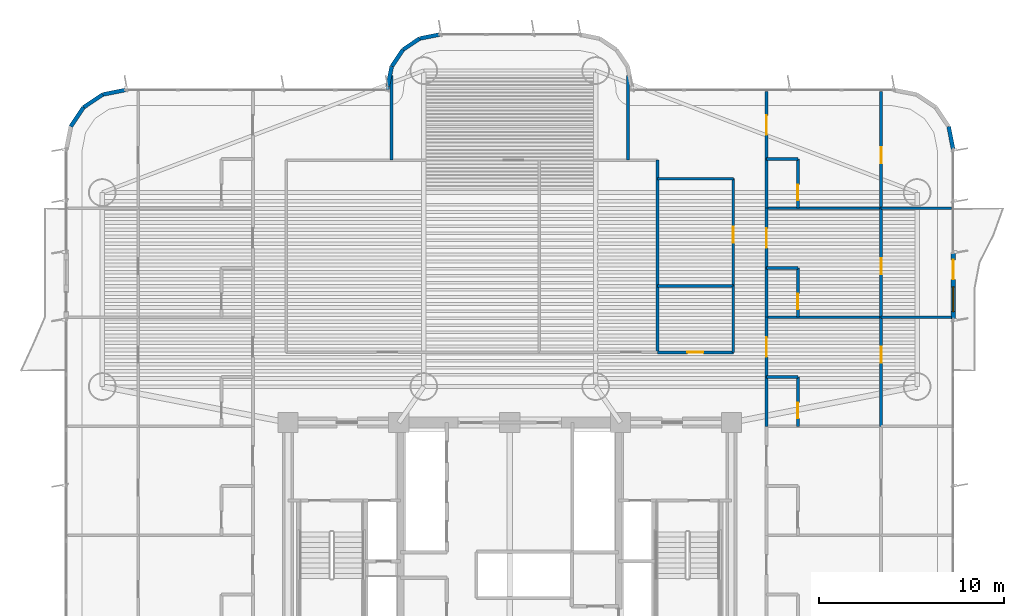
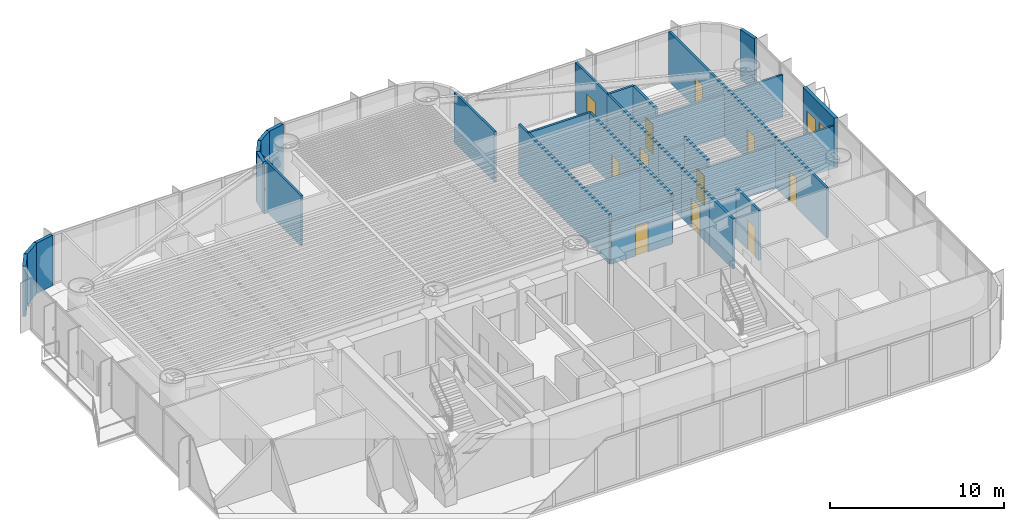
# One storey, part 13 of 18: 37 walls, 12 doors, 1 window, 13 openings.
"""IFC4 building model written with IfcOpenShell, lengths in metres."""

import ifcopenshell
import ifcopenshell.guid

model = None  # the IFC model being written
_history = None  # IfcOwnerHistory: only IFC2X3 demands one
_inside = {}  # id of a spatial element -> (the spatial element, [elements in it])
_under = {}  # id of a project, library or spatial element -> (it, [spatial elements below it])
_declared = {}  # id of a project -> (the project, [libraries it declares])
_typed = {}  # id of a type object -> (the type object, [elements of that type])
_made_of = {}  # id of a material, layer set ... -> (it, [elements and type objects made of it])


def new_model(schema):
    """Start an empty IFC model of exactly this schema.

    Asked for "IFC4X3", IfcOpenShell would pick the latest addendum, in which some entities
    have other attributes; the version numbers below select the first issue.
    IFC2X3 requires an IfcOwnerHistory on every rooted entity: one is made here for all.
    """
    global model, _history
    if schema == "IFC4X3":
        model = ifcopenshell.file(schema_version=(4, 3, 0, 0))
    else:
        model = ifcopenshell.file(schema=schema)
    _inside.clear()
    _under.clear()
    _declared.clear()
    _typed.clear()
    _made_of.clear()
    _history = None
    if model.schema == "IFC2X3":
        org = make("IfcOrganization", Name="unknown")
        user = make(
            "IfcPersonAndOrganization",
            ThePerson=make("IfcPerson", FamilyName="unknown"),
            TheOrganization=org,
        )
        app = make(
            "IfcApplication",
            ApplicationDeveloper=org,
            Version="unknown",
            ApplicationFullName="unknown",
            ApplicationIdentifier="unknown",
        )
        _history = make(
            "IfcOwnerHistory",
            OwningUser=user,
            OwningApplication=app,
            ChangeAction="ADDED",
            CreationDate=0,
        )
    return model


def make(cls, **values):
    """One entity of the class cls with the attributes given. An attribute that is None is left unset."""
    return model.create_entity(
        cls, **{name: value for name, value in values.items() if value is not None}
    )


def rooted(cls, **values):
    """An entity with a GlobalId (a new one), such as an element, a storey or a relation."""
    return make(cls, GlobalId=ifcopenshell.guid.new(), OwnerHistory=_history, **values)


def si_unit(unit_type, name, prefix=None):
    """IfcSIUnit, for example si_unit("LENGTHUNIT", "METRE", prefix="MILLI")."""
    return make("IfcSIUnit", UnitType=unit_type, Prefix=prefix, Name=name)


def assignment(units):
    """IfcUnitAssignment: the units of a project."""
    return None if units is None else make("IfcUnitAssignment", Units=units)


def point(xyz):
    """IfcCartesianPoint."""
    return None if xyz is None else make("IfcCartesianPoint", Coordinates=xyz)


def direction(xyz):
    """IfcDirection."""
    return None if xyz is None else make("IfcDirection", DirectionRatios=xyz)


def frame(location, z_axis=None, x_axis=None):
    """IfcAxis2Placement3D, a coordinate frame: its origin and axes. An axis left out is left unset."""
    return make(
        "IfcAxis2Placement3D",
        Location=point(location),
        Axis=direction(z_axis),
        RefDirection=direction(x_axis),
    )


def frame_2d(location, x_axis=None):
    """IfcAxis2Placement2D, a coordinate frame in the plane: its origin and x axis."""
    return make(
        "IfcAxis2Placement2D", Location=point(location), RefDirection=direction(x_axis)
    )


def origin():
    """The frame at (0, 0, 0) with its axes left unset."""
    return frame((0.0, 0.0, 0.0))


def origin_2d():
    """The frame at (0, 0) in the plane with its x axis left unset."""
    return frame_2d((0.0, 0.0))


def place(relative_to, where):
    """IfcLocalPlacement: puts the frame where relative to a parent placement (None: the world)."""
    return make(
        "IfcLocalPlacement", PlacementRelTo=relative_to, RelativePlacement=where
    )


def context(
    kind, dimensions, precision=None, world=None, true_north=None, identifier=None
):
    """IfcGeometricRepresentationContext, for example the 3D "Model" context."""
    return make(
        "IfcGeometricRepresentationContext",
        ContextIdentifier=identifier,
        ContextType=kind,
        CoordinateSpaceDimension=dimensions,
        Precision=precision,
        WorldCoordinateSystem=world,
        TrueNorth=true_north,
    )


def subcontext(parent, identifier, kind, view, scale=None):
    """IfcGeometricRepresentationSubContext, for example "Body" below "Model"."""
    return make(
        "IfcGeometricRepresentationSubContext",
        ContextIdentifier=identifier,
        ContextType=kind,
        ParentContext=parent,
        TargetScale=scale,
        TargetView=view,
    )


def project(units=None, contexts=None):
    """IfcProject with its units and contexts."""
    return rooted(
        "IfcProject",
        Name="project",
        RepresentationContexts=contexts,
        UnitsInContext=assignment(units),
    )


def spatial(cls, under=None, at=None, **own):
    """A site, building, storey or space (cls), placed at a placement, below another one or the project."""
    s = rooted(cls, ObjectPlacement=at, **own)
    if under is not None:
        _under.setdefault(under.id(), (under, []))[1].append(s)
    return s


def profile(cls, at=None, kind="AREA", **sizes):
    """A parametric profile (cls). Its sizes go by their IFC names, for example OverallWidth=200.0."""
    return make(cls, ProfileType=kind, Position=at, **sizes)


def rectangle(**sizes):
    """IfcRectangleProfileDef."""
    return profile("IfcRectangleProfileDef", **sizes)


def extrude(swept, where, along, depth):
    """IfcExtrudedAreaSolid: the profile swept, set in the frame where, extruded along a direction by depth."""
    return make(
        "IfcExtrudedAreaSolid",
        SweptArea=swept,
        Position=where,
        ExtrudedDirection=direction(along),
        Depth=depth,
    )


def shape(context_of_items, identifier, shape_type, items):
    """IfcShapeRepresentation: the items that make up one representation, for example the "Body"."""
    return make(
        "IfcShapeRepresentation",
        ContextOfItems=context_of_items,
        RepresentationIdentifier=identifier,
        RepresentationType=shape_type,
        Items=items,
    )


def source(mapping_origin, context_of_items, identifier, shape_type, items):
    """IfcRepresentationMap: a shape defined once, which mapped items show again and again."""
    return make(
        "IfcRepresentationMap",
        MappingOrigin=mapping_origin,
        MappedRepresentation=shape(context_of_items, identifier, shape_type, items),
    )


def transform(
    local_origin,
    x_axis=None,
    y_axis=None,
    z_axis=None,
    scale=None,
    scale2=None,
    scale3=None,
    uniform=True,
):
    """IfcCartesianTransformationOperator3D, or its non-uniform kind. x_axis, y_axis, z_axis: its Axis1, 2, 3."""
    if uniform:
        return make(
            "IfcCartesianTransformationOperator3D",
            Axis1=direction(x_axis),
            Axis2=direction(y_axis),
            LocalOrigin=point(local_origin),
            Scale=scale,
            Axis3=direction(z_axis),
        )
    return make(
        "IfcCartesianTransformationOperator3DnonUniform",
        Axis1=direction(x_axis),
        Axis2=direction(y_axis),
        LocalOrigin=point(local_origin),
        Scale=scale,
        Axis3=direction(z_axis),
        Scale2=scale2,
        Scale3=scale3,
    )


def mapped(mapping_source, mapping_target):
    """IfcMappedItem: shows the shape of a source again, moved by a transform."""
    return make(
        "IfcMappedItem", MappingSource=mapping_source, MappingTarget=mapping_target
    )


def material(Name=None, Category=None):
    """IfcMaterial."""
    return make("IfcMaterial", Name=Name, Category=Category)


def layer(
    of_material, thickness, ventilated=None, Name=None, Category=None, Priority=None
):
    """IfcMaterialLayer: one layer of a wall or slab, of a material (None: an air gap)."""
    return make(
        "IfcMaterialLayer",
        Material=of_material,
        LayerThickness=thickness,
        IsVentilated=ventilated,
        Name=Name,
        Category=Category,
        Priority=Priority,
    )


def layer_set(layers, Name=None):
    """IfcMaterialLayerSet."""
    return make("IfcMaterialLayerSet", MaterialLayers=layers, LayerSetName=Name)


def made_of(thing, what):
    """Note that an element or type object is made of a material, layer set ...; save() writes the relation."""
    if what is not None:
        _made_of.setdefault(what.id(), (what, []))[1].append(thing)
    return thing


def type_object(cls, material=None, **own):
    """A type object (cls), such as IfcWallType, which elements share."""
    return made_of(rooted(cls, **own), material)


def element(
    cls,
    number,
    at=None,
    inside=None,
    cuts=None,
    type_object=None,
    material=None,
    context=None,
    identifier="Body",
    shape_type=None,
    held_by="IfcProductDefinitionShape",
    body=None,
    shapes=None,
    **own,
):
    """One element of the class cls, such as IfcWall. Its Tag is "e" and its number.

    at: its placement. inside: the storey or other place that contains it. cuts: it is an
    opening in that element (IfcRelVoidsElement). A single representation is given by context,
    identifier, shape_type and body (its items); several are given by shapes. held_by: the class
    of the entity that holds the representations. save() writes the other relations.
    """
    e = rooted(cls, Tag="e%d" % number, ObjectPlacement=at, **own)
    if body is not None:
        shapes = [shape(context, identifier, shape_type, body)]
    if shapes is not None:
        e.Representation = make(held_by, Representations=shapes)
    if inside is not None:
        _inside.setdefault(inside.id(), (inside, []))[1].append(e)
    if cuts is not None:
        rooted(
            "IfcRelVoidsElement", RelatingBuildingElement=cuts, RelatedOpeningElement=e
        )
    if type_object is not None:
        _typed.setdefault(type_object.id(), (type_object, []))[1].append(e)
    return made_of(e, material)


def fill(opening, filler):
    """IfcRelFillsElement: the door or window that sits in an opening."""
    return rooted(
        "IfcRelFillsElement",
        RelatingOpeningElement=opening,
        RelatedBuildingElement=filler,
    )


def aggregate(whole, parts):
    """IfcRelAggregates: a whole, such as a stair, and the parts it consists of."""
    return rooted("IfcRelAggregates", RelatingObject=whole, RelatedObjects=parts)


def save(model, path):
    """Write the relations noted so far, then the file.

    IfcRelAggregates (storeys below a building ...), IfcRelContainedInSpatialStructure (elements
    in a storey), IfcRelDefinesByType, IfcRelAssociatesMaterial and IfcRelDeclares: one each for
    every whole, place, type object, material and project.
    """
    for whole, parts in _under.values():
        aggregate(whole, parts)
    for where, things in _inside.values():
        rooted(
            "IfcRelContainedInSpatialStructure",
            RelatedElements=things,
            RelatingStructure=where,
        )
    for kind, things in _typed.values():
        rooted("IfcRelDefinesByType", RelatedObjects=things, RelatingType=kind)
    for what, things in _made_of.values():
        rooted("IfcRelAssociatesMaterial", RelatedObjects=things, RelatingMaterial=what)
    for by, libraries in _declared.values():
        rooted("IfcRelDeclares", RelatingContext=by, RelatedDefinitions=libraries)
    model.write(path)


model = new_model("IFC4")

# Units and contexts
model_context = context("Model", 3, precision=1e-05, world=origin(), true_north=direction((0.0, 1.0)))
body_context = subcontext(model_context, "Body", "Model", "MODEL_VIEW")
ifc_project = project(units=[si_unit("LENGTHUNIT", "METRE"), si_unit("AREAUNIT", "SQUARE_METRE"), si_unit("VOLUMEUNIT", "CUBIC_METRE"), si_unit("PLANEANGLEUNIT", "RADIAN"), si_unit("MASSUNIT", "GRAM", prefix="KILO")], contexts=[model_context])

# Site, building, storey
site_placement = place(None, origin())
site = spatial("IfcSite", under=ifc_project, at=site_placement, CompositionType="ELEMENT")
building_placement = place(site_placement, origin())
building = spatial("IfcBuilding", under=site, at=building_placement, Name="Brelvock Crest Care Tower", CompositionType="ELEMENT")
storey_placement = place(building_placement, frame((0.0, 0.0, 38.340087890625)))
storey = spatial("IfcBuildingStorey", under=building, at=storey_placement, Name="L09", CompositionType="ELEMENT", Elevation=38.340087890625)

# Wall, openings, door, window
ifc_material_1 = material(Name="Precast concrete N40 (40 MPa)", Category="concrete")
ifc_layer_1 = layer(ifc_material_1, 0.239990234375, Name="WL-EX1")
ifc_layer_set_1 = layer_set([ifc_layer_1], Name="Precast concrete N40 (40 MPa)")
wall_type_1 = type_object("IfcWallType", Name="WL-EX1", PredefinedType="SOLIDWALL", material=ifc_layer_set_1)
wall_1_placement = place(storey_placement, frame((60.0, 27.199951171875, 0.0), z_axis=(0.0, 0.0, 1.0), x_axis=(0.0, -1.0, 0.0)))
wall_1 = element("IfcWall", 1, at=wall_1_placement, inside=storey, type_object=wall_type_1, Name="L09 Exterior Spandrel Wall WL-BAL-L09-E", PredefinedType="SOLIDWALL", context=body_context, shape_type="SweptSolid", body=[
    extrude(rectangle(XDim=3.599853515625, YDim=0.239990234375, at=frame_2d((1.7998046875, 0.0))), origin(), (0.0, 0.0, 1.0), 3.530029296875),
])
opening_1_placement = place(wall_1_placement, frame((0.39990234375, 0.0, 0.0)))
opening_1 = element("IfcOpeningElement", 2, at=opening_1_placement, cuts=wall_1, Name="Opening BD-1", PredefinedType="OPENING", context=body_context, shape_type="SweptSolid", body=[
    extrude(rectangle(XDim=1.050048828125, YDim=2.14990234375, at=origin_2d()), frame((0.52490234375, 0.1298828125, 1.074951171875), z_axis=(0.0, -1.0, 0.0), x_axis=(1.0, 0.0, 0.0)), (0.0, 0.0, 1.0), 0.260009765625),
])
opening_2_placement = place(wall_1_placement, frame((1.85009765625, 0.0, 0.85009765625)))
opening_2 = element("IfcOpeningElement", 3, at=opening_2_placement, cuts=wall_1, Name="Opening W-01", PredefinedType="OPENING", context=body_context, shape_type="SweptSolid", body=[
    extrude(rectangle(XDim=1.35009765625, YDim=1.35009765625, at=origin_2d()), frame((0.675048828125, 0.1298828125, 0.675048828125), z_axis=(0.0, -1.0, 0.0), x_axis=(1.0, 0.0, 0.0)), (0.0, 0.0, 1.0), 0.260009765625),
])
ifc_material_2 = material(Name="Dark Glass Double Glazed Low-E", Category="glass")
door_type_1 = type_object("IfcDoorType", Name="DR-BAL1", OperationType="NOTDEFINED", PredefinedType="DOOR", material=ifc_material_2)
shared_shape_1 = source(origin(), body_context, "Body", "SweptSolid", [
    extrude(rectangle(XDim=1.050048828125, YDim=2.14990234375, at=origin_2d()), frame((0.52490234375, 0.02490234375, 1.074951171875), z_axis=(0.0, -1.0, 0.0), x_axis=(1.0, 0.0, 0.0)), (0.0, 0.0, 1.0), 0.050048828125),
])
door_1_placement = place(opening_1_placement, origin())
door_1 = element("IfcDoor", 4, at=door_1_placement, inside=storey, type_object=door_type_1, Name="L09 E Wave Balcony Glazed Door", OperationType="SINGLE_SWING_RIGHT", OverallHeight=2.14990234375, OverallWidth=1.050048828125, PredefinedType="DOOR", context=body_context, shape_type="MappedRepresentation", body=[
    mapped(shared_shape_1, transform((0.0, 0.0, 0.0), x_axis=(1.0, 0.0, 0.0), y_axis=(0.0, 1.0, 0.0), z_axis=(0.0, 0.0, 1.0), scale=1.0)),
])
fill(opening_1, door_1)
window_type = type_object("IfcWindowType", Name="WN-EX1", PartitioningType="SINGLE_PANEL", PredefinedType="WINDOW", material=ifc_material_2)
shared_shape_2 = source(origin(), body_context, "Body", "SweptSolid", [
    extrude(rectangle(XDim=1.35009765625, YDim=1.35009765625, at=origin_2d()), frame((0.675048828125, 0.030029296875, 0.675048828125), z_axis=(0.0, -1.0, 0.0), x_axis=(1.0, 0.0, 0.0)), (0.0, 0.0, 1.0), 0.06005859375),
])
window_placement = place(opening_2_placement, origin())
window = element("IfcWindow", 5, at=window_placement, inside=storey, type_object=window_type, Name="L09 E Suite Casement Window", OverallHeight=1.35009765625, OverallWidth=1.35009765625, PartitioningType="SINGLE_PANEL", PredefinedType="WINDOW", context=body_context, shape_type="MappedRepresentation", body=[
    mapped(shared_shape_2, transform((0.0, 0.0, 0.0), x_axis=(1.0, 0.0, 0.0), y_axis=(0.0, 1.0, 0.0), z_axis=(0.0, 0.0, 1.0), scale=1.0)),
])
fill(opening_2, window)

# Walls
ifc_layer_2 = layer(ifc_material_1, 0.215087890625, Name="WL-EX2")
ifc_layer_set_2 = layer_set([ifc_layer_2], Name="Precast concrete N40 (40 MPa)")
wall_type_2 = type_object("IfcWallType", Name="WL-EX2", PredefinedType="SOLIDWALL", material=ifc_layer_set_2)
for number, where, z_axis, x_axis, name in (
    (6, (59.75634765625, 34.024658203125, 0.0), (0.0, 0.0, 1.0), (0.195138390419, -0.980775717779, 0.0), "L09 Rounded Corner Wall 02"),
    (7, (12.24365234375, 34.024658203125, 0.0), (0.0, 0.0, 1.0), (0.555557312883, 0.831478245117, 0.0), "L09 Rounded Corner Wall 15"),
    (8, (12.937255859375, 35.062744140625, 0.0), (0.0, 0.0, 1.0), (0.831478245117, 0.555557312883, 0.0), "L09 Rounded Corner Wall 16"),
    (9, (13.975341796875, 35.75634765625, 0.0), (0.0, 0.0, 1.0), (0.980775717779, 0.195138390419, 0.0), "L09 Rounded Corner Wall 17"),
):
    element("IfcWall", number, at=place(storey_placement, frame(where, z_axis=z_axis, x_axis=x_axis)), inside=storey, type_object=wall_type_2, Name=name, PredefinedType="SOLIDWALL", context=body_context, shape_type="SweptSolid", body=[
        extrude(rectangle(XDim=1.24853515625, YDim=0.215087890625, at=frame_2d((0.624267578125, 0.0))), origin(), (0.0, 0.0, 1.0), 3.530029296875),
    ])
wall_2_placement = place(storey_placement, frame((29.39990234375, 36.0, 0.0), z_axis=(0.0, 0.0, 1.0), x_axis=(0.0, 1.0, 0.0)))
element("IfcWall", 10, at=wall_2_placement, inside=storey, type_object=wall_type_2, Name="L09 Rounded Corner Wall 19", PredefinedType="SOLIDWALL", context=body_context, shape_type="SweptSolid", body=[
    extrude(rectangle(XDim=0.199951171875, YDim=0.215087890625, at=frame_2d((0.10009765625, 0.0))), origin(), (0.0, 0.0, 1.0), 3.530029296875),
])
wall_3_placement = place(storey_placement, frame((29.39990234375, 36.199951171875, 0.0), z_axis=(0.0, 0.0, 1.0), x_axis=(0.195084651288, 0.980786408364, 0.0)))
element("IfcWall", 11, at=wall_3_placement, inside=storey, type_object=wall_type_2, Name="L09 Rounded Corner Wall 20", PredefinedType="SOLIDWALL", context=body_context, shape_type="SweptSolid", body=[
    extrude(rectangle(XDim=1.092529296875, YDim=0.215087890625, at=frame_2d((0.54638671875, 0.0))), origin(), (0.0, 0.0, 1.0), 3.530029296875),
])
wall_4_placement = place(storey_placement, frame((29.613037109375, 37.271484375, 0.0), z_axis=(0.0, 0.0, 1.0), x_axis=(0.555679482341, 0.831396603857, 0.0)))
element("IfcWall", 12, at=wall_4_placement, inside=storey, type_object=wall_type_2, Name="L09 Rounded Corner Wall 21", PredefinedType="SOLIDWALL", context=body_context, shape_type="SweptSolid", body=[
    extrude(rectangle(XDim=1.0927734375, YDim=0.215087890625, at=frame_2d((0.54638671875, 0.0))), origin(), (0.0, 0.0, 1.0), 3.530029296875),
])
wall_5_placement = place(storey_placement, frame((30.22021484375, 38.179931640625, 0.0), z_axis=(0.0, 0.0, 1.0), x_axis=(0.831430845238, 0.555628247651, 0.0)))
element("IfcWall", 13, at=wall_5_placement, inside=storey, type_object=wall_type_2, Name="L09 Rounded Corner Wall 22", PredefinedType="SOLIDWALL", context=body_context, shape_type="SweptSolid", body=[
    extrude(rectangle(XDim=1.09228515625, YDim=0.215087890625, at=frame_2d((0.546142578125, 0.0))), origin(), (0.0, 0.0, 1.0), 3.530029296875),
])
wall_6_placement = place(storey_placement, frame((31.12841796875, 38.786865234375, 0.0), z_axis=(0.0, 0.0, 1.0), x_axis=(0.980786408364, 0.195084651288, 0.0)))
element("IfcWall", 14, at=wall_6_placement, inside=storey, type_object=wall_type_2, Name="L09 Rounded Corner Wall 23", PredefinedType="SOLIDWALL", context=body_context, shape_type="SweptSolid", body=[
    extrude(rectangle(XDim=1.092529296875, YDim=0.215087890625, at=frame_2d((0.54638671875, 0.0))), origin(), (0.0, 0.0, 1.0), 3.530029296875),
])
ifc_material_3 = material(Name="Masonry Blockwork Acoustic Partition", Category="masonry")
ifc_layer_3 = layer(ifc_material_3, 0.14990234375, Name="WL-INT1")
ifc_layer_set_3 = layer_set([ifc_layer_3], Name="Masonry Blockwork Acoustic Partition")
wall_type_3 = type_object("IfcWallType", Name="WL-INT1", PredefinedType="PARTITIONING", material=ifc_layer_set_3)
for number, where, z_axis, x_axis, name in (
    (15, (49.89990234375, 23.699951171875, 0.0), (0.0, 0.0, 1.0), (1.0, 0.0, 0.0), "L09 Interior Wall WL-BX-L09-CS-EC3-N"),
    (16, (49.89990234375, 29.60009765625, 0.0), (0.0, 0.0, 1.0), (1.0, 0.0, 0.0), "L09 Interior Wall WL-BX-L09-CS-EC4-N"),
):
    element("IfcWall", number, at=place(storey_placement, frame(where, z_axis=z_axis, x_axis=x_axis)), inside=storey, type_object=wall_type_3, Name=name, PredefinedType="PARTITIONING", context=body_context, shape_type="SweptSolid", body=[
        extrude(rectangle(XDim=6.2001953125, YDim=0.14990234375, at=frame_2d((3.10009765625, 0.0))), origin(), (0.0, 0.0, 1.0), 2.98193359375),
    ])
wall_7_placement = place(storey_placement, frame((44.0, 31.199951171875, 0.0), z_axis=(0.0, 0.0, 1.0), x_axis=(1.0, 0.0, 0.0)))
element("IfcWall", 17, at=wall_7_placement, inside=storey, type_object=wall_type_3, Name="L09 Interior Wall WL-BX-L09-CKIT-N", PredefinedType="PARTITIONING", context=body_context, shape_type="SweptSolid", body=[
    extrude(rectangle(XDim=4.10009765625, YDim=0.14990234375, at=frame_2d((2.050048828125, 0.0))), origin(), (0.0, 0.0, 1.0), 3.5),
])
for number, where, z_axis, x_axis, name in (
    (18, (29.60009765625, 32.199951171875, 0.0), (0.0, 0.0, 1.0), (0.0, 1.0, 0.0), "L09 Interior Wall WL-BX-L09-NHUB-W"),
    (19, (42.39990234375, 32.199951171875, 0.0), (0.0, 0.0, 1.0), (0.0, 1.0, 0.0), "L09 Interior Wall WL-BX-L09-NHUB-E"),
):
    element("IfcWall", number, at=place(storey_placement, frame(where, z_axis=z_axis, x_axis=x_axis)), inside=storey, type_object=wall_type_3, Name=name, PredefinedType="PARTITIONING", context=body_context, shape_type="SweptSolid", body=[
        extrude(rectangle(XDim=4.595458984375, YDim=0.14990234375, at=frame_2d((2.2978515625, 0.0))), origin(), (0.0, 0.0, 1.0), 3.5),
    ])

# Wall, opening, door
wall_8_placement = place(storey_placement, frame((48.10009765625, 25.39990234375, 0.0), z_axis=(0.0, 0.0, 1.0), x_axis=(0.0, 1.0, 0.0)))
wall_8 = element("IfcWall", 20, at=wall_8_placement, inside=storey, type_object=wall_type_3, Name="L09 Interior Wall WL-RM-L09-CKIT", PredefinedType="PARTITIONING", context=body_context, shape_type="SweptSolid", body=[
    extrude(rectangle(XDim=5.800048828125, YDim=0.14990234375, at=frame_2d((2.89990234375, 0.0))), origin(), (0.0, 0.0, 1.0), 3.5),
])
opening_3_placement = place(wall_8_placement, frame((2.340087890625, 0.0, 0.0)))
opening_3 = element("IfcOpeningElement", 21, at=opening_3_placement, cuts=wall_8, Name="Opening ID-1", PredefinedType="OPENING", context=body_context, shape_type="SweptSolid", body=[
    extrude(rectangle(XDim=0.860107421875, YDim=2.10009765625, at=origin_2d()), frame((0.43017578125, 0.0849609375, 1.050048828125), z_axis=(0.0, -1.0, 0.0), x_axis=(1.0, 0.0, 0.0)), (0.0, 0.0, 1.0), 0.169921875),
])
ifc_material_4 = material(Name="Engineered Hardwood Timber", Category="wood")
door_type_2 = type_object("IfcDoorType", Name="DR-INT1", OperationType="NOTDEFINED", PredefinedType="DOOR", material=ifc_material_4)
shared_shape_3 = source(origin(), body_context, "Body", "SweptSolid", [
    extrude(rectangle(XDim=0.860107421875, YDim=2.10009765625, at=origin_2d()), frame((0.43017578125, 0.02490234375, 1.050048828125), z_axis=(0.0, -1.0, 0.0), x_axis=(1.0, 0.0, 0.0)), (0.0, 0.0, 1.0), 0.050048828125),
])
door_2_placement = place(opening_3_placement, origin())
door_2 = element("IfcDoor", 22, at=door_2_placement, inside=storey, type_object=door_type_2, Name="L09 Neighbourhood Pantry Kitchen Door CKIT", OperationType="SINGLE_SWING_LEFT", OverallHeight=2.10009765625, OverallWidth=0.860107421875, PredefinedType="DOOR", context=body_context, shape_type="MappedRepresentation", body=[
    mapped(shared_shape_3, transform((0.0, 0.0, 0.0), x_axis=(1.0, 0.0, 0.0), y_axis=(0.0, 1.0, 0.0), z_axis=(0.0, 0.0, 1.0), scale=1.0)),
])
fill(opening_3, door_2)

wall_9_placement = place(storey_placement, frame((49.89990234375, 20.455078125, 0.0), z_axis=(0.0, 0.0, 1.0), x_axis=(0.0, 1.0, 0.0)))
wall_9 = element("IfcWall", 23, at=wall_9_placement, inside=storey, type_object=wall_type_3, Name="L09 Interior Wall WL-CENT-L09-EC3", PredefinedType="PARTITIONING", context=body_context, shape_type="SweptSolid", body=[
    extrude(rectangle(XDim=3.244873046875, YDim=0.14990234375, at=frame_2d((1.62255859375, 0.0))), origin(), (0.0, 0.0, 1.0), 3.5),
])
opening_4_placement = place(wall_9_placement, frame((1.10302734375, 0.0, 0.0)))
opening_4 = element("IfcOpeningElement", 24, at=opening_4_placement, cuts=wall_9, Name="Opening CD-1", PredefinedType="OPENING", context=body_context, shape_type="SweptSolid", body=[
    extrude(rectangle(XDim=1.050048828125, YDim=2.10009765625, at=origin_2d()), frame((0.52490234375, 0.0849609375, 1.050048828125), z_axis=(0.0, -1.0, 0.0), x_axis=(1.0, 0.0, 0.0)), (0.0, 0.0, 1.0), 0.169921875),
])
door_type_3 = type_object("IfcDoorType", Name="DR-CARE1", OperationType="NOTDEFINED", PredefinedType="DOOR", material=ifc_material_4)
shared_shape_4 = source(origin(), body_context, "Body", "SweptSolid", [
    extrude(rectangle(XDim=1.050048828125, YDim=2.10009765625, at=origin_2d()), frame((0.52490234375, 0.02490234375, 1.050048828125), z_axis=(0.0, -1.0, 0.0), x_axis=(1.0, 0.0, 0.0)), (0.0, 0.0, 1.0), 0.050048828125),
])
door_3_placement = place(opening_4_placement, origin())
door_3 = element("IfcDoor", 25, at=door_3_placement, inside=storey, type_object=door_type_3, Name="L09 Care Suite Door EC3", OperationType="SINGLE_SWING_LEFT", OverallHeight=2.10009765625, OverallWidth=1.050048828125, PredefinedType="DOOR", context=body_context, shape_type="MappedRepresentation", body=[
    mapped(shared_shape_4, transform((0.0, 0.0, 0.0), x_axis=(1.0, 0.0, 0.0), y_axis=(0.0, 1.0, 0.0), z_axis=(0.0, 0.0, 1.0), scale=1.0)),
])
fill(opening_4, door_3)

wall_10_placement = place(storey_placement, frame((49.89990234375, 26.35498046875, 0.0), z_axis=(0.0, 0.0, 1.0), x_axis=(0.0, 1.0, 0.0)))
wall_10 = element("IfcWall", 26, at=wall_10_placement, inside=storey, type_object=wall_type_3, Name="L09 Interior Wall WL-CENT-L09-EC4", PredefinedType="PARTITIONING", context=body_context, shape_type="SweptSolid", body=[
    extrude(rectangle(XDim=3.2451171875, YDim=0.14990234375, at=frame_2d((1.62255859375, 0.0))), origin(), (0.0, 0.0, 1.0), 3.5),
])
opening_5_placement = place(wall_10_placement, frame((1.10302734375, 0.0, 0.0)))
opening_5 = element("IfcOpeningElement", 27, at=opening_5_placement, cuts=wall_10, Name="Opening CD-1", PredefinedType="OPENING", context=body_context, shape_type="SweptSolid", body=[
    extrude(rectangle(XDim=1.050048828125, YDim=2.10009765625, at=origin_2d()), frame((0.52490234375, 0.0849609375, 1.050048828125), z_axis=(0.0, -1.0, 0.0), x_axis=(1.0, 0.0, 0.0)), (0.0, 0.0, 1.0), 0.169921875),
])
door_4_placement = place(opening_5_placement, origin())
door_4 = element("IfcDoor", 28, at=door_4_placement, inside=storey, type_object=door_type_3, Name="L09 Care Suite Door EC4", OperationType="SINGLE_SWING_LEFT", OverallHeight=2.10009765625, OverallWidth=1.050048828125, PredefinedType="DOOR", context=body_context, shape_type="MappedRepresentation", body=[
    mapped(shared_shape_4, transform((0.0, 0.0, 0.0), x_axis=(1.0, 0.0, 0.0), y_axis=(0.0, 1.0, 0.0), z_axis=(0.0, 0.0, 1.0), scale=1.0)),
])
fill(opening_5, door_4)

wall_11_placement = place(storey_placement, frame((49.89990234375, 32.263916015625, 0.0), z_axis=(0.0, 0.0, 1.0), x_axis=(0.0, 1.0, 0.0)))
wall_11 = element("IfcWall", 29, at=wall_11_placement, inside=storey, type_object=wall_type_3, Name="L09 Interior Wall WL-CENT-L09-EC5", PredefinedType="PARTITIONING", context=body_context, shape_type="SweptSolid", body=[
    extrude(rectangle(XDim=3.65625, YDim=0.14990234375, at=frame_2d((1.828125, 0.0))), origin(), (0.0, 0.0, 1.0), 3.5),
])
opening_6_placement = place(wall_11_placement, frame((1.30810546875, 0.0, 0.0)))
opening_6 = element("IfcOpeningElement", 30, at=opening_6_placement, cuts=wall_11, Name="Opening CD-1", PredefinedType="OPENING", context=body_context, shape_type="SweptSolid", body=[
    extrude(rectangle(XDim=1.050048828125, YDim=2.10009765625, at=origin_2d()), frame((0.52490234375, 0.0849609375, 1.050048828125), z_axis=(0.0, -1.0, 0.0), x_axis=(1.0, 0.0, 0.0)), (0.0, 0.0, 1.0), 0.169921875),
])
door_5_placement = place(opening_6_placement, origin())
door_5 = element("IfcDoor", 31, at=door_5_placement, inside=storey, type_object=door_type_3, Name="L09 Care Suite Door EC5", OperationType="SINGLE_SWING_LEFT", OverallHeight=2.10009765625, OverallWidth=1.050048828125, PredefinedType="DOOR", context=body_context, shape_type="MappedRepresentation", body=[
    mapped(shared_shape_4, transform((0.0, 0.0, 0.0), x_axis=(1.0, 0.0, 0.0), y_axis=(0.0, 1.0, 0.0), z_axis=(0.0, 0.0, 1.0), scale=1.0)),
])
fill(opening_6, door_5)

wall_12_placement = place(storey_placement, frame((56.10009765625, 17.800048828125, 0.0), z_axis=(0.0, 0.0, 1.0), x_axis=(0.0, 1.0, 0.0)))
wall_12 = element("IfcWall", 32, at=wall_12_placement, inside=storey, type_object=wall_type_3, Name="L09 Interior Wall WL-RM-L09-EC3S", PredefinedType="PARTITIONING", context=body_context, shape_type="SweptSolid", body=[
    extrude(rectangle(XDim=5.89990234375, YDim=0.14990234375, at=frame_2d((2.949951171875, 0.0))), origin(), (0.0, 0.0, 1.0), 3.5),
])
opening_7_placement = place(wall_12_placement, frame((3.43994140625, 0.0, 0.0)))
opening_7 = element("IfcOpeningElement", 33, at=opening_7_placement, cuts=wall_12, Name="Opening ID-1", PredefinedType="OPENING", context=body_context, shape_type="SweptSolid", body=[
    extrude(rectangle(XDim=0.860107421875, YDim=2.10009765625, at=origin_2d()), frame((0.43017578125, 0.0849609375, 1.050048828125), z_axis=(0.0, -1.0, 0.0), x_axis=(1.0, 0.0, 0.0)), (0.0, 0.0, 1.0), 0.169921875),
])
door_6_placement = place(opening_7_placement, origin())
door_6 = element("IfcDoor", 34, at=door_6_placement, inside=storey, type_object=door_type_2, Name="L09 Assisted Care Mobility Store Door EC3S", OperationType="SINGLE_SWING_LEFT", OverallHeight=2.10009765625, OverallWidth=0.860107421875, PredefinedType="DOOR", context=body_context, shape_type="MappedRepresentation", body=[
    mapped(shared_shape_3, transform((0.0, 0.0, 0.0), x_axis=(1.0, 0.0, 0.0), y_axis=(0.0, 1.0, 0.0), z_axis=(0.0, 0.0, 1.0), scale=1.0)),
])
fill(opening_7, door_6)

wall_13_placement = place(storey_placement, frame((56.10009765625, 23.699951171875, 0.0), z_axis=(0.0, 0.0, 1.0), x_axis=(0.0, 1.0, 0.0)))
wall_13 = element("IfcWall", 35, at=wall_13_placement, inside=storey, type_object=wall_type_3, Name="L09 Interior Wall WL-RM-L09-EC4S", PredefinedType="PARTITIONING", context=body_context, shape_type="SweptSolid", body=[
    extrude(rectangle(XDim=5.900146484375, YDim=0.14990234375, at=frame_2d((2.9501953125, 0.0))), origin(), (0.0, 0.0, 1.0), 3.5),
])
opening_8_placement = place(wall_13_placement, frame((2.340087890625, 0.0, 0.0)))
opening_8 = element("IfcOpeningElement", 36, at=opening_8_placement, cuts=wall_13, Name="Opening ID-1", PredefinedType="OPENING", context=body_context, shape_type="SweptSolid", body=[
    extrude(rectangle(XDim=0.860107421875, YDim=2.10009765625, at=origin_2d()), frame((0.43017578125, 0.0849609375, 1.050048828125), z_axis=(0.0, -1.0, 0.0), x_axis=(1.0, 0.0, 0.0)), (0.0, 0.0, 1.0), 0.169921875),
])
door_7_placement = place(opening_8_placement, origin())
door_7 = element("IfcDoor", 37, at=door_7_placement, inside=storey, type_object=door_type_2, Name="L09 Assisted Care Mobility Store Door EC4S", OperationType="SINGLE_SWING_LEFT", OverallHeight=2.10009765625, OverallWidth=0.860107421875, PredefinedType="DOOR", context=body_context, shape_type="MappedRepresentation", body=[
    mapped(shared_shape_3, transform((0.0, 0.0, 0.0), x_axis=(1.0, 0.0, 0.0), y_axis=(0.0, 1.0, 0.0), z_axis=(0.0, 0.0, 1.0), scale=1.0)),
])
fill(opening_8, door_7)

wall_14_placement = place(storey_placement, frame((56.10009765625, 29.60009765625, 0.0), z_axis=(0.0, 0.0, 1.0), x_axis=(0.0, 1.0, 0.0)))
wall_14 = element("IfcWall", 38, at=wall_14_placement, inside=storey, type_object=wall_type_3, Name="L09 Interior Wall WL-RM-L09-EC5S", PredefinedType="PARTITIONING", context=body_context, shape_type="SweptSolid", body=[
    extrude(rectangle(XDim=6.31982421875, YDim=0.14990234375, at=frame_2d((3.159912109375, 0.0))), origin(), (0.0, 0.0, 1.0), 3.5),
])
opening_9_placement = place(wall_14_placement, frame((2.43994140625, 0.0, 0.0)))
opening_9 = element("IfcOpeningElement", 39, at=opening_9_placement, cuts=wall_14, Name="Opening ID-1", PredefinedType="OPENING", context=body_context, shape_type="SweptSolid", body=[
    extrude(rectangle(XDim=0.860107421875, YDim=2.10009765625, at=origin_2d()), frame((0.43017578125, 0.0849609375, 1.050048828125), z_axis=(0.0, -1.0, 0.0), x_axis=(1.0, 0.0, 0.0)), (0.0, 0.0, 1.0), 0.169921875),
])
door_8_placement = place(opening_9_placement, origin())
door_8 = element("IfcDoor", 40, at=door_8_placement, inside=storey, type_object=door_type_2, Name="L09 Assisted Care Mobility Store Door EC5S", OperationType="SINGLE_SWING_LEFT", OverallHeight=2.10009765625, OverallWidth=0.860107421875, PredefinedType="DOOR", context=body_context, shape_type="MappedRepresentation", body=[
    mapped(shared_shape_3, transform((0.0, 0.0, 0.0), x_axis=(1.0, 0.0, 0.0), y_axis=(0.0, 1.0, 0.0), z_axis=(0.0, 0.0, 1.0), scale=1.0)),
])
fill(opening_9, door_8)

# Walls
ifc_material_5 = material(Name="Gypsum Plasterboard Partition", Category="gypsum")
ifc_layer_4 = layer(ifc_material_5, 0.1201171875, Name="WL-INT2")
ifc_layer_set_4 = layer_set([ifc_layer_4], Name="Gypsum Plasterboard Partition")
wall_type_4 = type_object("IfcWallType", Name="WL-INT2", PredefinedType="PARTITIONING", material=ifc_layer_set_4)
for number, where, z_axis, x_axis, name in (
    (41, (56.10009765625, 23.699951171875, 0.0), (0.0, 0.0, 1.0), (1.0, 0.0, 0.0), "L09 Interior Wall WL-BX-L09-EC3S-N"),
    (42, (56.10009765625, 29.60009765625, 0.0), (0.0, 0.0, 1.0), (1.0, 0.0, 0.0), "L09 Interior Wall WL-BX-L09-EC4S-N"),
):
    element("IfcWall", number, at=place(storey_placement, frame(where, z_axis=z_axis, x_axis=x_axis)), inside=storey, type_object=wall_type_4, Name=name, PredefinedType="PARTITIONING", context=body_context, shape_type="SweptSolid", body=[
        extrude(rectangle(XDim=3.81982421875, YDim=0.1201171875, at=frame_2d((1.909912109375, 0.0))), origin(), (0.0, 0.0, 1.0), 2.98193359375),
    ])
ifc_layer_5 = layer(ifc_material_5, 0.159912109375, Name="WL-PLM1")
ifc_layer_set_5 = layer_set([ifc_layer_5], Name="Gypsum Plasterboard Partition")
wall_type_5 = type_object("IfcWallType", Name="WL-PLM1", PredefinedType="PLUMBINGWALL", material=ifc_layer_set_5)
wall_15_placement = place(storey_placement, frame((49.89990234375, 20.455078125, 0.0), z_axis=(0.0, 0.0, 1.0), x_axis=(1.0, 0.0, 0.0)))
element("IfcWall", 43, at=wall_15_placement, inside=storey, type_object=wall_type_5, Name="L09 Interior Wall WL-CENS2-L09-EC3", PredefinedType="PLUMBINGWALL", context=body_context, shape_type="SweptSolid", body=[
    extrude(rectangle(XDim=1.7001953125, YDim=0.159912109375, at=frame_2d((0.85009765625, 0.0))), origin(), (0.0, 0.0, 1.0), 2.98193359375),
])

# Wall, opening, door
wall_16_placement = place(storey_placement, frame((44.0, 21.800048828125, 0.0), z_axis=(0.0, 0.0, 1.0), x_axis=(1.0, 0.0, 0.0)))
wall_16 = element("IfcWall", 44, at=wall_16_placement, inside=storey, type_object=wall_type_5, Name="L09 Interior Wall WL-RM-L09-CAWC", PredefinedType="PLUMBINGWALL", context=body_context, shape_type="SweptSolid", body=[
    extrude(rectangle(XDim=4.10009765625, YDim=0.159912109375, at=frame_2d((2.050048828125, 0.0))), origin(), (0.0, 0.0, 1.0), 2.98193359375),
])
opening_10_placement = place(wall_16_placement, frame((1.6201171875, 0.0, 0.0)))
opening_10 = element("IfcOpeningElement", 45, at=opening_10_placement, cuts=wall_16, Name="Opening WD-1", PredefinedType="OPENING", context=body_context, shape_type="SweptSolid", body=[
    extrude(rectangle(XDim=0.860107421875, YDim=2.10009765625, at=origin_2d()), frame((0.43017578125, 0.08984375, 1.050048828125), z_axis=(0.0, -1.0, 0.0), x_axis=(1.0, 0.0, 0.0)), (0.0, 0.0, 1.0), 0.179931640625),
])
door_type_4 = type_object("IfcDoorType", Name="DR-WC1", OperationType="NOTDEFINED", PredefinedType="DOOR", material=ifc_material_4)
shared_shape_5 = source(origin(), body_context, "Body", "SweptSolid", [
    extrude(rectangle(XDim=0.860107421875, YDim=2.10009765625, at=origin_2d()), frame((0.43017578125, 0.02490234375, 1.050048828125), z_axis=(0.0, -1.0, 0.0), x_axis=(1.0, 0.0, 0.0)), (0.0, 0.0, 1.0), 0.050048828125),
])
door_9_placement = place(opening_10_placement, origin())
door_9 = element("IfcDoor", 46, at=door_9_placement, inside=storey, type_object=door_type_4, Name="L09 Floor Accessible WC Door CAWC", OperationType="SINGLE_SWING_LEFT", OverallHeight=2.10009765625, OverallWidth=0.860107421875, PredefinedType="DOOR", context=body_context, shape_type="MappedRepresentation", body=[
    mapped(shared_shape_5, transform((0.0, 0.0, 0.0), x_axis=(1.0, 0.0, 0.0), y_axis=(0.0, 1.0, 0.0), z_axis=(0.0, 0.0, 1.0), scale=1.0)),
])
fill(opening_10, door_9)

# Walls
wall_17_placement = place(storey_placement, frame((44.0, 25.39990234375, 0.0), z_axis=(0.0, 0.0, 1.0), x_axis=(1.0, 0.0, 0.0)))
element("IfcWall", 47, at=wall_17_placement, inside=storey, type_object=wall_type_5, Name="L09 Interior Wall WL-BX-L09-CAWC-N", PredefinedType="PLUMBINGWALL", context=body_context, shape_type="SweptSolid", body=[
    extrude(rectangle(XDim=4.10009765625, YDim=0.159912109375, at=frame_2d((2.050048828125, 0.0))), origin(), (0.0, 0.0, 1.0), 3.054931640625),
])
wall_18_placement = place(storey_placement, frame((49.89990234375, 26.35498046875, 0.0), z_axis=(0.0, 0.0, 1.0), x_axis=(1.0, 0.0, 0.0)))
element("IfcWall", 48, at=wall_18_placement, inside=storey, type_object=wall_type_5, Name="L09 Interior Wall WL-CENS2-L09-EC4", PredefinedType="PLUMBINGWALL", context=body_context, shape_type="SweptSolid", body=[
    extrude(rectangle(XDim=1.7001953125, YDim=0.159912109375, at=frame_2d((0.85009765625, 0.0))), origin(), (0.0, 0.0, 1.0), 2.98193359375),
])
wall_19_placement = place(storey_placement, frame((49.89990234375, 32.263916015625, 0.0), z_axis=(0.0, 0.0, 1.0), x_axis=(1.0, 0.0, 0.0)))
element("IfcWall", 49, at=wall_19_placement, inside=storey, type_object=wall_type_5, Name="L09 Interior Wall WL-CENS2-L09-EC5", PredefinedType="PLUMBINGWALL", context=body_context, shape_type="SweptSolid", body=[
    extrude(rectangle(XDim=1.7001953125, YDim=0.159912109375, at=frame_2d((0.85009765625, 0.0))), origin(), (0.0, 0.0, 1.0), 3.5),
])
wall_20_placement = place(storey_placement, frame((44.0, 21.800048828125, 0.0), z_axis=(0.0, 0.0, 1.0), x_axis=(0.0, 1.0, 0.0)))
element("IfcWall", 50, at=wall_20_placement, inside=storey, type_object=wall_type_5, Name="L09 Interior Wall WL-BX-L09-CNE-E", PredefinedType="PLUMBINGWALL", context=body_context, shape_type="SweptSolid", body=[
    extrude(rectangle(XDim=10.39990234375, YDim=0.159912109375, at=frame_2d((5.199951171875, 0.0))), origin(), (0.0, 0.0, 1.0), 3.5),
])
wall_21_placement = place(storey_placement, frame((48.10009765625, 21.800048828125, 0.0), z_axis=(0.0, 0.0, 1.0), x_axis=(0.0, 1.0, 0.0)))
element("IfcWall", 51, at=wall_21_placement, inside=storey, type_object=wall_type_5, Name="L09 Interior Wall WL-BX-L09-CAWC-E", PredefinedType="PLUMBINGWALL", context=body_context, shape_type="SweptSolid", body=[
    extrude(rectangle(XDim=3.599853515625, YDim=0.159912109375, at=frame_2d((1.7998046875, 0.0))), origin(), (0.0, 0.0, 1.0), 3.5),
])
for number, where, z_axis, x_axis, name in (
    (52, (49.89990234375, 17.800048828125, 0.0), (0.0, 0.0, 1.0), (0.0, 1.0, 0.0), "L09 Interior Wall WL-CENS0-L09-EC3"),
    (53, (49.89990234375, 23.699951171875, 0.0), (0.0, 0.0, 1.0), (0.0, 1.0, 0.0), "L09 Interior Wall WL-CENS0-L09-EC4"),
):
    element("IfcWall", number, at=place(storey_placement, frame(where, z_axis=z_axis, x_axis=x_axis)), inside=storey, type_object=wall_type_5, Name=name, PredefinedType="PLUMBINGWALL", context=body_context, shape_type="SweptSolid", body=[
        extrude(rectangle(XDim=2.655029296875, YDim=0.159912109375, at=frame_2d((1.32763671875, 0.0))), origin(), (0.0, 0.0, 1.0), 3.5),
    ])
wall_22_placement = place(storey_placement, frame((49.89990234375, 29.60009765625, 0.0), z_axis=(0.0, 0.0, 1.0), x_axis=(0.0, 1.0, 0.0)))
element("IfcWall", 54, at=wall_22_placement, inside=storey, type_object=wall_type_5, Name="L09 Interior Wall WL-CENS0-L09-EC5", PredefinedType="PLUMBINGWALL", context=body_context, shape_type="SweptSolid", body=[
    extrude(rectangle(XDim=2.663818359375, YDim=0.159912109375, at=frame_2d((1.33203125, 0.0))), origin(), (0.0, 0.0, 1.0), 3.5),
])

# Wall, opening, door
wall_23_placement = place(storey_placement, frame((51.60009765625, 17.800048828125, 0.0), z_axis=(0.0, 0.0, 1.0), x_axis=(0.0, 1.0, 0.0)))
wall_23 = element("IfcWall", 55, at=wall_23_placement, inside=storey, type_object=wall_type_5, Name="L09 Interior Wall WL-CENS1-L09-EC3", PredefinedType="PLUMBINGWALL", context=body_context, shape_type="SweptSolid", body=[
    extrude(rectangle(XDim=2.655029296875, YDim=0.159912109375, at=frame_2d((1.32763671875, 0.0))), origin(), (0.0, 0.0, 1.0), 3.5),
])
opening_11_placement = place(wall_23_placement, frame((0.419921875, 0.0, 0.0)))
opening_11 = element("IfcOpeningElement", 56, at=opening_11_placement, cuts=wall_23, Name="Opening WD-1", PredefinedType="OPENING", context=body_context, shape_type="SweptSolid", body=[
    extrude(rectangle(XDim=0.860107421875, YDim=2.10009765625, at=origin_2d()), frame((0.43017578125, 0.08984375, 1.050048828125), z_axis=(0.0, -1.0, 0.0), x_axis=(1.0, 0.0, 0.0)), (0.0, 0.0, 1.0), 0.179931640625),
])
door_10_placement = place(opening_11_placement, origin())
door_10 = element("IfcDoor", 57, at=door_10_placement, inside=storey, type_object=door_type_4, Name="L09 Care En-Suite Door EC3", OperationType="SINGLE_SWING_RIGHT", OverallHeight=2.10009765625, OverallWidth=0.860107421875, PredefinedType="DOOR", context=body_context, shape_type="MappedRepresentation", body=[
    mapped(shared_shape_5, transform((0.0, 0.0, 0.0), x_axis=(1.0, 0.0, 0.0), y_axis=(0.0, 1.0, 0.0), z_axis=(0.0, 0.0, 1.0), scale=1.0)),
])
fill(opening_11, door_10)

wall_24_placement = place(storey_placement, frame((51.60009765625, 23.699951171875, 0.0), z_axis=(0.0, 0.0, 1.0), x_axis=(0.0, 1.0, 0.0)))
wall_24 = element("IfcWall", 58, at=wall_24_placement, inside=storey, type_object=wall_type_5, Name="L09 Interior Wall WL-CENS1-L09-EC4", PredefinedType="PLUMBINGWALL", context=body_context, shape_type="SweptSolid", body=[
    extrude(rectangle(XDim=2.655029296875, YDim=0.159912109375, at=frame_2d((1.32763671875, 0.0))), origin(), (0.0, 0.0, 1.0), 3.5),
])
opening_12_placement = place(wall_24_placement, frame((0.419921875, 0.0, 0.0)))
opening_12 = element("IfcOpeningElement", 59, at=opening_12_placement, cuts=wall_24, Name="Opening WD-1", PredefinedType="OPENING", context=body_context, shape_type="SweptSolid", body=[
    extrude(rectangle(XDim=0.860107421875, YDim=2.10009765625, at=origin_2d()), frame((0.43017578125, 0.08984375, 1.050048828125), z_axis=(0.0, -1.0, 0.0), x_axis=(1.0, 0.0, 0.0)), (0.0, 0.0, 1.0), 0.179931640625),
])
door_11_placement = place(opening_12_placement, origin())
door_11 = element("IfcDoor", 60, at=door_11_placement, inside=storey, type_object=door_type_4, Name="L09 Care En-Suite Door EC4", OperationType="SINGLE_SWING_RIGHT", OverallHeight=2.10009765625, OverallWidth=0.860107421875, PredefinedType="DOOR", context=body_context, shape_type="MappedRepresentation", body=[
    mapped(shared_shape_5, transform((0.0, 0.0, 0.0), x_axis=(1.0, 0.0, 0.0), y_axis=(0.0, 1.0, 0.0), z_axis=(0.0, 0.0, 1.0), scale=1.0)),
])
fill(opening_12, door_11)

wall_25_placement = place(storey_placement, frame((51.60009765625, 29.60009765625, 0.0), z_axis=(0.0, 0.0, 1.0), x_axis=(0.0, 1.0, 0.0)))
wall_25 = element("IfcWall", 61, at=wall_25_placement, inside=storey, type_object=wall_type_5, Name="L09 Interior Wall WL-CENS1-L09-EC5", PredefinedType="PLUMBINGWALL", context=body_context, shape_type="SweptSolid", body=[
    extrude(rectangle(XDim=2.663818359375, YDim=0.159912109375, at=frame_2d((1.33203125, 0.0))), origin(), (0.0, 0.0, 1.0), 3.5),
])
opening_13_placement = place(wall_25_placement, frame((0.419921875, 0.0, 0.0)))
opening_13 = element("IfcOpeningElement", 62, at=opening_13_placement, cuts=wall_25, Name="Opening WD-1", PredefinedType="OPENING", context=body_context, shape_type="SweptSolid", body=[
    extrude(rectangle(XDim=0.860107421875, YDim=2.10009765625, at=origin_2d()), frame((0.43017578125, 0.08984375, 1.050048828125), z_axis=(0.0, -1.0, 0.0), x_axis=(1.0, 0.0, 0.0)), (0.0, 0.0, 1.0), 0.179931640625),
])
door_12_placement = place(opening_13_placement, origin())
door_12 = element("IfcDoor", 63, at=door_12_placement, inside=storey, type_object=door_type_4, Name="L09 Care En-Suite Door EC5", OperationType="SINGLE_SWING_RIGHT", OverallHeight=2.10009765625, OverallWidth=0.860107421875, PredefinedType="DOOR", context=body_context, shape_type="MappedRepresentation", body=[
    mapped(shared_shape_5, transform((0.0, 0.0, 0.0), x_axis=(1.0, 0.0, 0.0), y_axis=(0.0, 1.0, 0.0), z_axis=(0.0, 0.0, 1.0), scale=1.0)),
])
fill(opening_13, door_12)

save(model, "model.ifc")
